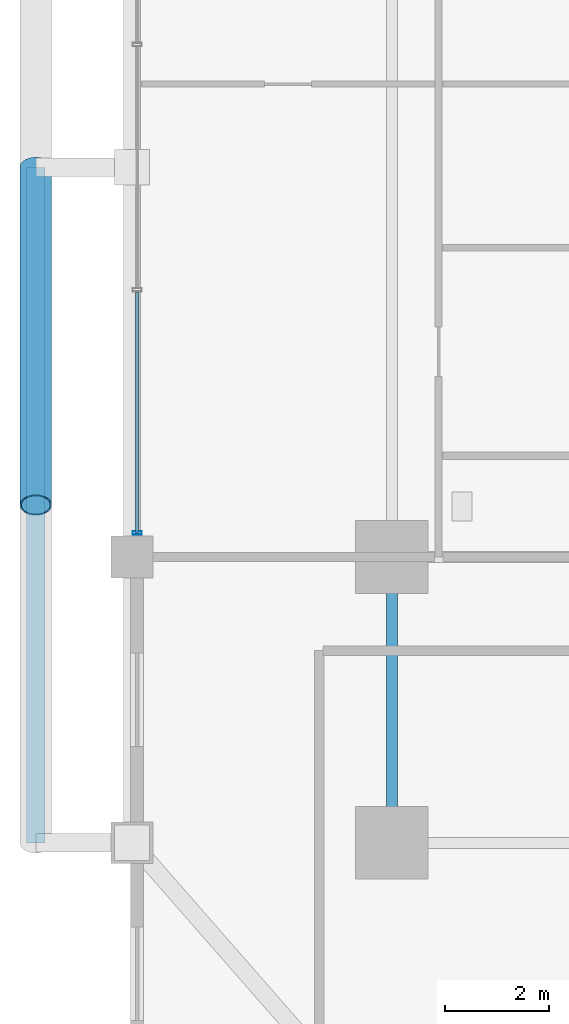
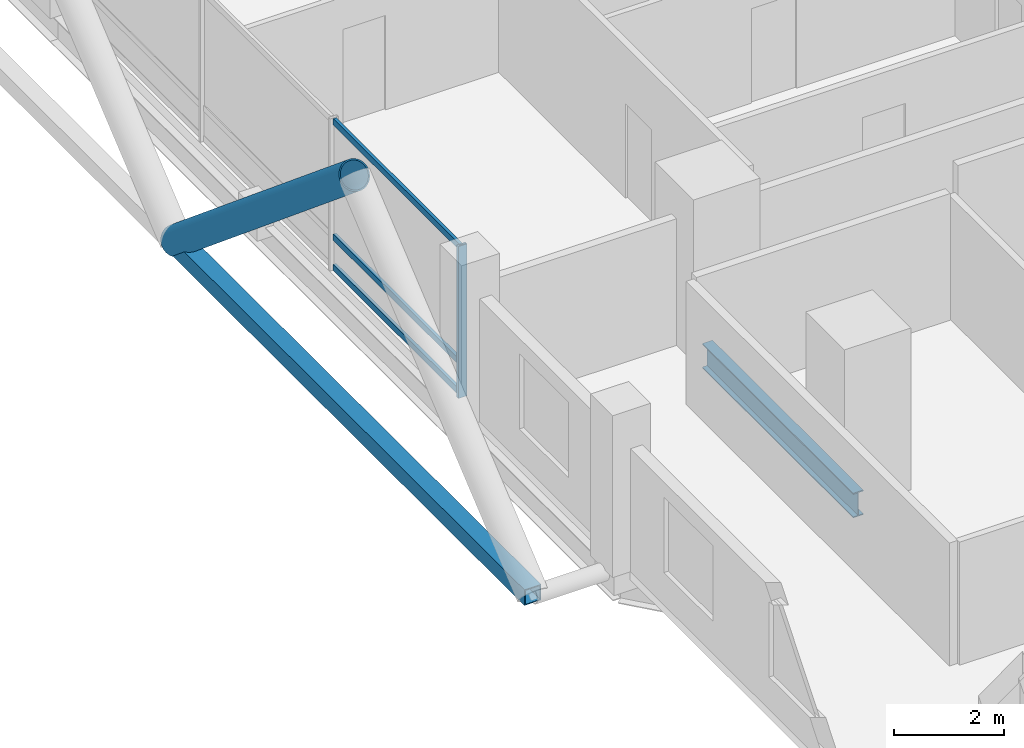
# One storey, part 6 of 28: 6 members, 1 beam, 1 element without a shape of its own.
"""IFC4 building model written with IfcOpenShell, lengths in metres."""

from ifc_helpers import new_model, si_unit, direction, frame, origin, origin_2d, place, context, subcontext, project, spatial, hollow_rectangle, hollow_circle, i_section, extrude, material, layer, layer_set, material_profile, profile_set, type_object, element, aggregate, save


model = new_model("IFC4")

# Units and contexts
model_context = context("Model", 3, precision=1e-05, world=origin(), true_north=direction((0.0, 1.0)))
body_context = subcontext(model_context, "Body", "Model", "MODEL_VIEW")
ifc_project = project(units=[si_unit("LENGTHUNIT", "METRE"), si_unit("AREAUNIT", "SQUARE_METRE"), si_unit("VOLUMEUNIT", "CUBIC_METRE"), si_unit("PLANEANGLEUNIT", "RADIAN"), si_unit("MASSUNIT", "GRAM", prefix="KILO")], contexts=[model_context])

# Site, building, storey
site_placement = place(None, origin())
site = spatial("IfcSite", under=ifc_project, at=site_placement, CompositionType="ELEMENT")
building_placement = place(site_placement, origin())
building = spatial("IfcBuilding", under=site, at=building_placement, Name="Barlavira Tower and Art Museum", CompositionType="ELEMENT")
storey_placement = place(building_placement, frame((0.0, 0.0, 39.60009765625)))
storey = spatial("IfcBuildingStorey", under=building, at=storey_placement, Name="L08", CompositionType="ELEMENT", Elevation=39.60009765625)

# Curtain wall, members
ifc_material_1 = material(Name="Low-iron coastal laminated glass", Category="glass")
ifc_layer = layer(ifc_material_1, 0.179931640625, Name="Low-iron coastal laminated glass")
ifc_layer_set = layer_set([ifc_layer], Name="Low-iron coastal laminated glass")
curtain_wall_type = type_object("IfcCurtainWallType", Name="Pale-Metal Unitised Curtain Wall Zone 1", PredefinedType="NOTDEFINED", material=ifc_layer_set)
curtain_wall_placement = place(storey_placement, origin())
curtain_wall = element("IfcCurtainWall", 1, at=curtain_wall_placement, inside=storey, type_object=curtain_wall_type, Name="L08 Curtain Wall CW1-L08-W-B3", PredefinedType="NOTDEFINED")
ifc_material_2 = material(Name="Pale anodised aluminium", Category="aluminium")
ifc_material_profile_1 = material_profile(ifc_material_2, hollow_rectangle(XDim=0.06494140625, YDim=0.179931640625, WallThickness=0.00390625, at=origin_2d()), Name="ALU-MULL 65x180x4")
ifc_profile_set_1 = profile_set([ifc_material_profile_1], Name="Pale anodised aluminium")
member_type_1 = type_object("IfcMemberType", Name="Curtain Wall Pale-Metal Mullion 65x180", PredefinedType="MULLION", material=ifc_profile_set_1)
member_1_placement = place(storey_placement, frame((-21.89990234375, -7.034912109375, 0.0), z_axis=(0.0, 0.0, 1.0), x_axis=(0.0, -1.0, 0.0)))
member_1 = element("IfcMember", 2, at=member_1_placement, type_object=member_type_1, Name="CW1-L08-W-B3 Mullion 3", PredefinedType="MULLION", context=body_context, shape_type="SweptSolid", body=[
    extrude(hollow_rectangle(XDim=0.06494140625, YDim=0.179931640625, WallThickness=0.00390625, at=origin_2d()), origin(), (0.0, 0.0, 1.0), 3.3798828125),
])
ifc_material_profile_2 = material_profile(ifc_material_2, hollow_rectangle(XDim=0.06494140625, YDim=0.139892578125, WallThickness=0.00390625, at=origin_2d()), Name="ALU-TRAN 65x140x4")
ifc_profile_set_2 = profile_set([ifc_material_profile_2], Name="Pale anodised aluminium")
member_type_2 = type_object("IfcMemberType", Name="Curtain Wall Pale-Metal Transom 65x140", PredefinedType="USERDEFINED", material=ifc_profile_set_2)
member_2_placement = place(storey_placement, frame((-21.89990234375, -2.405029296875, 0.06982421875), z_axis=(0.0, -1.0, 0.0), x_axis=(1.0, 0.0, 0.0)))
member_2 = element("IfcMember", 3, at=member_2_placement, type_object=member_type_2, Name="CW1-L08-W-B3 Transom 2.1", ObjectType="TRANSOM", PredefinedType="USERDEFINED", context=body_context, shape_type="SweptSolid", body=[
    extrude(hollow_rectangle(XDim=0.06494140625, YDim=0.139892578125, WallThickness=0.00390625, at=origin_2d()), origin(), (0.0, 0.0, 1.0), 4.6298828125),
])
member_3_placement = place(storey_placement, frame((-21.89990234375, -2.405029296875, 0.743896484375), z_axis=(0.0, -1.0, 0.0), x_axis=(1.0, 0.0, 0.0)))
member_3 = element("IfcMember", 4, at=member_3_placement, type_object=member_type_2, Name="CW1-L08-W-B3 Transom 2.2", ObjectType="TRANSOM", PredefinedType="USERDEFINED", context=body_context, shape_type="SweptSolid", body=[
    extrude(hollow_rectangle(XDim=0.06494140625, YDim=0.139892578125, WallThickness=0.00390625, at=origin_2d()), origin(), (0.0, 0.0, 1.0), 4.6298828125),
])
member_4_placement = place(storey_placement, frame((-21.89990234375, -2.405029296875, 3.309814453125), z_axis=(0.0, -1.0, 0.0), x_axis=(1.0, 0.0, 0.0)))
member_4 = element("IfcMember", 5, at=member_4_placement, type_object=member_type_2, Name="CW1-L08-W-B3 Transom 2.3", ObjectType="TRANSOM", PredefinedType="USERDEFINED", context=body_context, shape_type="SweptSolid", body=[
    extrude(hollow_rectangle(XDim=0.06494140625, YDim=0.139892578125, WallThickness=0.00390625, at=origin_2d()), origin(), (0.0, 0.0, 1.0), 4.6298828125),
])
aggregate(curtain_wall, [member_1, member_2, member_3, member_4])

# Members
ifc_material_3 = material(Name="Steel S355", Category="steel")
ifc_material_profile_3 = material_profile(ifc_material_3, hollow_circle(Radius=0.304931640625, WallThickness=0.028076171875, at=origin_2d()), Name="CHS 610.0x28.0")
ifc_profile_set_3 = profile_set([ifc_material_profile_3], Name="Steel S355")
member_type_3 = type_object("IfcMemberType", Name="Pale-Metal Exoskeleton Diagrid Tube CHS 610x28 Steel S355", PredefinedType="BRACE", material=ifc_profile_set_3)
member_5_placement = place(storey_placement, frame((-23.85009765625, 0.0, -0.1201171875), z_axis=(0.0, -0.769196053329, 0.639012857104), x_axis=(1.0, 0.0, 0.0)))
element("IfcMember", 6, at=member_5_placement, inside=storey, type_object=member_type_3, Name="L08 Exoskeleton Diagrid Tube W", PredefinedType="BRACE", context=body_context, shape_type="SweptSolid", body=[
    extrude(hollow_circle(Radius=0.304931640625, WallThickness=0.028076171875, at=origin_2d()), origin(), (0.0, 0.0, 1.0), 8.450439453125),
])
ifc_material_profile_4 = material_profile(ifc_material_3, hollow_rectangle(XDim=0.35009765625, YDim=0.35009765625, WallThickness=0.02001953125, at=origin_2d()), Name="SHS 350x350x20.0")
ifc_profile_set_4 = profile_set([ifc_material_profile_4], Name="Steel S355")
member_type_4 = type_object("IfcMemberType", Name="Pale-Metal Exoskeleton Ring Strut SHS 350x350x20 Steel S355", PredefinedType="STRUT", material=ifc_profile_set_4)
member_6_placement = place(storey_placement, frame((-23.85009765625, -13.0, -0.1201171875), z_axis=(0.0, 1.0, 0.0), x_axis=(-1.0, 0.0, 0.0)))
element("IfcMember", 7, at=member_6_placement, inside=storey, type_object=member_type_4, Name="L08 Exoskeleton Ring Strut W", PredefinedType="STRUT", context=body_context, shape_type="SweptSolid", body=[
    extrude(hollow_rectangle(XDim=0.35009765625, YDim=0.35009765625, WallThickness=0.02001953125, at=origin_2d()), origin(), (0.0, 0.0, 1.0), 13.0),
])

# Beam
ifc_material_profile_5 = material_profile(ifc_material_3, i_section(OverallWidth=0.214111328125, OverallDepth=0.549072265625, WebThickness=0.0146484375, FlangeThickness=0.023681640625, at=origin_2d()), Name="W530x138.0")
ifc_profile_set_5 = profile_set([ifc_material_profile_5], Name="Steel S355")
beam_type = type_object("IfcBeamType", Name="Zone 1 Primary Floor Girder W530x138 Steel S355", PredefinedType="BEAM", material=ifc_profile_set_5)
beam_placement = place(storey_placement, frame((-17.0, -13.0, -0.49462890625), z_axis=(0.0, 1.0, 0.0), x_axis=(-1.0, 0.0, 0.0)))
element("IfcBeam", 8, at=beam_placement, inside=storey, type_object=beam_type, Name="L08 Girder M-W1", PredefinedType="BEAM", context=body_context, shape_type="SweptSolid", body=[
    extrude(i_section(OverallWidth=0.214111328125, OverallDepth=0.549072265625, WebThickness=0.0146484375, FlangeThickness=0.023681640625, at=origin_2d()), origin(), (0.0, 0.0, 1.0), 5.5),
])

save(model, "model.ifc")
